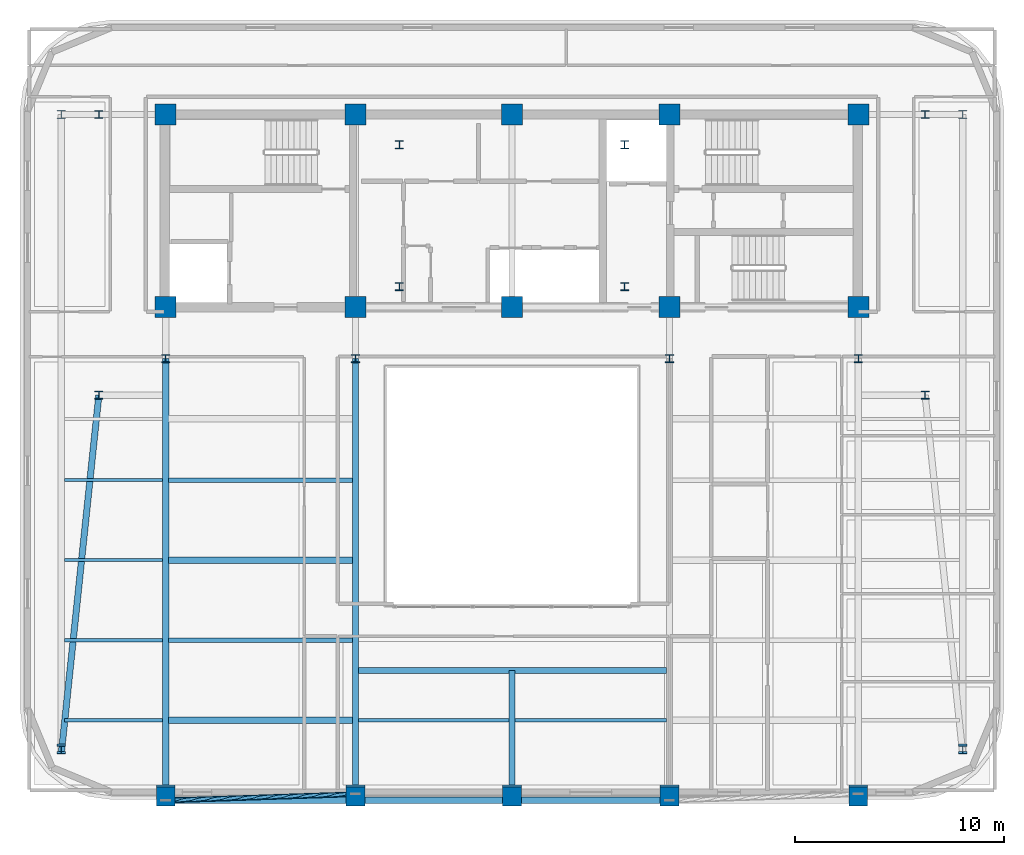
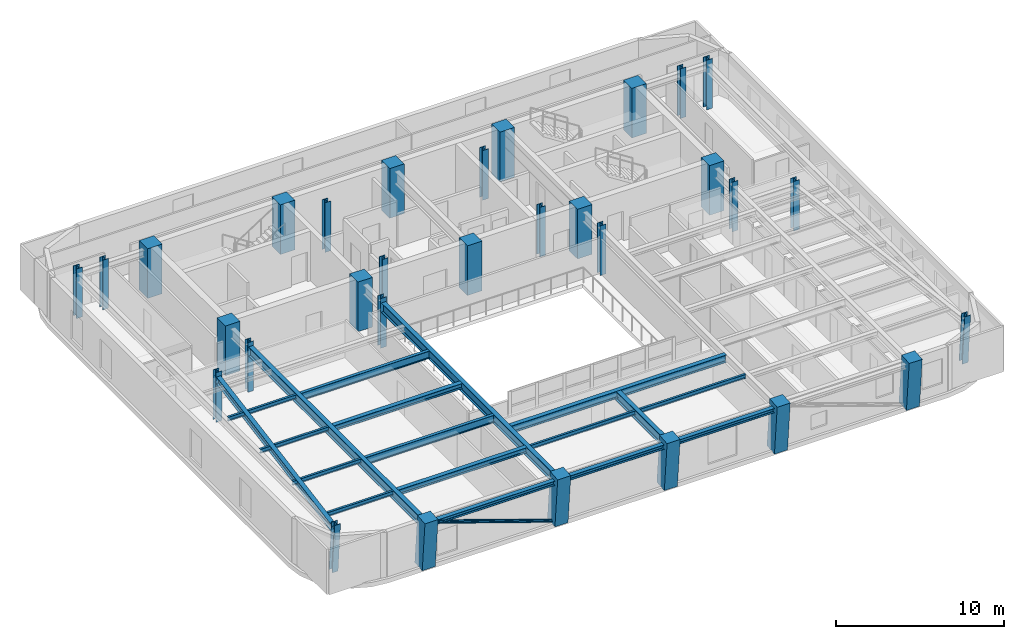
# One storey, part 1 of 13: 31 columns, 18 beams, 1 member.
"""IFC4 building model written with IfcOpenShell, lengths in metres."""

from ifc_helpers import new_model, si_unit, direction, frame, origin, origin_2d, place, context, subcontext, project, spatial, rectangle, hollow_circle, i_section, extrude, material, material_profile, profile_set, type_object, element, save


model = new_model("IFC4")

# Units and contexts
model_context = context("Model", 3, precision=1e-05, world=origin(), true_north=direction((0.0, 1.0)))
body_context = subcontext(model_context, "Body", "Model", "MODEL_VIEW")
ifc_project = project(units=[si_unit("LENGTHUNIT", "METRE"), si_unit("AREAUNIT", "SQUARE_METRE"), si_unit("VOLUMEUNIT", "CUBIC_METRE"), si_unit("PLANEANGLEUNIT", "RADIAN"), si_unit("MASSUNIT", "GRAM", prefix="KILO")], contexts=[model_context])

# Site, building, storey
site_placement = place(None, origin())
site = spatial("IfcSite", under=ifc_project, at=site_placement, CompositionType="ELEMENT")
building_placement = place(site_placement, origin())
building = spatial("IfcBuilding", under=site, at=building_placement, Name="Zarnavel Station Tower", CompositionType="ELEMENT")
storey_placement = place(building_placement, frame((0.0, 0.0, 240.0)))
storey = spatial("IfcBuildingStorey", under=building, at=storey_placement, Name="L65", CompositionType="ELEMENT", Elevation=240.0)

# Columns
ifc_material_1 = material(Name="Steel S355J2", Category="steel")
ifc_material_profile_1 = material_profile(ifc_material_1, i_section(OverallWidth=0.407958984375, OverallDepth=0.39990234375, WebThickness=0.02490234375, FlangeThickness=0.0390625, FilletRadius=0.014892578125, at=origin_2d()), Name="HD400x287")
ifc_profile_set_1 = profile_set([ifc_material_profile_1], Name="Steel S355J2")
column_type_1 = type_object("IfcColumnType", Name="EC_HD287", PredefinedType="COLUMN", material=ifc_profile_set_1)
column_1_placement = place(storey_placement, frame((7.199951171875, 6.6884765625, 0.0), z_axis=(0.0, -0.079901051777, 0.996802799918), x_axis=(1.0, 0.0, 0.0)))
element("IfcColumn", 1, at=column_1_placement, inside=storey, type_object=column_type_1, Name="L65 Raked Wing Column 1", PredefinedType="COLUMN", context=body_context, shape_type="SweptSolid", body=[
    extrude(i_section(OverallWidth=0.407958984375, OverallDepth=0.39990234375, WebThickness=0.02490234375, FlangeThickness=0.0390625, FilletRadius=0.014892578125, at=origin_2d()), origin(), (0.0, 0.0, 1.0), 3.611572265625),
])
column_2_placement = place(storey_placement, frame((7.199951171875, 37.050048828125, 0.0), z_axis=(0.0, 0.0, 1.0), x_axis=(1.0, 0.0, 0.0)))
element("IfcColumn", 2, at=column_2_placement, inside=storey, type_object=column_type_1, Name="L65 Outer Wing North Column 1", PredefinedType="COLUMN", context=body_context, shape_type="SweptSolid", body=[
    extrude(i_section(OverallWidth=0.407958984375, OverallDepth=0.39990234375, WebThickness=0.02490234375, FlangeThickness=0.0390625, FilletRadius=0.014892578125, at=origin_2d()), origin(), (0.0, 0.0, 1.0), 3.60009765625),
])
column_3_placement = place(storey_placement, frame((50.39990234375, 6.6884765625, 0.0), z_axis=(0.0, -0.079901051777, 0.996802799918), x_axis=(1.0, 0.0, 0.0)))
element("IfcColumn", 3, at=column_3_placement, inside=storey, type_object=column_type_1, Name="L65 Raked Wing Column 2", PredefinedType="COLUMN", context=body_context, shape_type="SweptSolid", body=[
    extrude(i_section(OverallWidth=0.407958984375, OverallDepth=0.39990234375, WebThickness=0.02490234375, FlangeThickness=0.0390625, FilletRadius=0.014892578125, at=origin_2d()), origin(), (0.0, 0.0, 1.0), 3.611572265625),
])
column_4_placement = place(storey_placement, frame((50.39990234375, 37.050048828125, 0.0), z_axis=(0.0, 0.0, 1.0), x_axis=(1.0, 0.0, 0.0)))
element("IfcColumn", 4, at=column_4_placement, inside=storey, type_object=column_type_1, Name="L65 Outer Wing North Column 2", PredefinedType="COLUMN", context=body_context, shape_type="SweptSolid", body=[
    extrude(i_section(OverallWidth=0.407958984375, OverallDepth=0.39990234375, WebThickness=0.02490234375, FlangeThickness=0.0390625, FilletRadius=0.014892578125, at=origin_2d()), origin(), (0.0, 0.0, 1.0), 3.60009765625),
])
ifc_material_2 = material(Name="Steel S355J2", Category="steel")
ifc_material_profile_2 = material_profile(ifc_material_2, i_section(OverallWidth=0.39501953125, OverallDepth=0.3798828125, WebThickness=0.018798828125, FlangeThickness=0.0302734375, FilletRadius=0.014892578125, at=origin_2d()), Name="HD400x237")
ifc_profile_set_2 = profile_set([ifc_material_profile_2], Name="Steel S355J2")
column_type_2 = type_object("IfcColumnType", Name="IC_HD237", PredefinedType="COLUMN", material=ifc_profile_set_2)
for number, where, z_axis, x_axis, name in (
    (5, (23.39990234375, 28.800048828125, 0.0), (0.0, 0.0, 1.0), (1.0, 0.0, 0.0), "L65 Mast Spine Column 1"),
    (6, (34.199951171875, 28.800048828125, 0.0), (0.0, 0.0, 1.0), (1.0, 0.0, 0.0), "L65 Mast Spine Column 2"),
    (7, (34.199951171875, 35.60009765625, 0.0), (0.0, 0.0, 1.0), (1.0, 0.0, 0.0), "L65 Mast Spine Column 3"),
    (8, (23.39990234375, 35.60009765625, 0.0), (0.0, 0.0, 1.0), (1.0, 0.0, 0.0), "L65 Mast Spine Column 4"),
    (9, (12.199951171875, 25.35009765625, 0.0), (0.0, 0.0, 1.0), (1.0, 0.0, 0.0), "L65 Inner Spine Column 1"),
    (10, (21.300048828125, 25.35009765625, 0.0), (0.0, 0.0, 1.0), (1.0, 0.0, 0.0), "L65 Inner Spine Column 2"),
    (11, (36.35009765625, 25.35009765625, 0.0), (0.0, 0.0, 1.0), (1.0, 0.0, 0.0), "L65 Inner Spine Column 4"),
    (12, (45.39990234375, 25.35009765625, 0.0), (0.0, 0.0, 1.0), (1.0, 0.0, 0.0), "L65 Inner Spine Column 5"),
    (13, (9.0, 23.60009765625, 0.0), (0.0, 0.0, 1.0), (1.0, 0.0, 0.0), "L65 Inner Wing Spine Column 1-1"),
    (14, (9.0, 37.050048828125, 0.0), (0.0, 0.0, 1.0), (1.0, 0.0, 0.0), "L65 Inner Wing Spine Column 1-2"),
    (15, (48.60009765625, 23.60009765625, 0.0), (0.0, 0.0, 1.0), (1.0, 0.0, 0.0), "L65 Inner Wing Spine Column 2-1"),
    (16, (48.60009765625, 37.050048828125, 0.0), (0.0, 0.0, 1.0), (1.0, 0.0, 0.0), "L65 Inner Wing Spine Column 2-2"),
):
    element("IfcColumn", number, at=place(storey_placement, frame(where, z_axis=z_axis, x_axis=x_axis)), inside=storey, type_object=column_type_2, Name=name, PredefinedType="COLUMN", context=body_context, shape_type="SweptSolid", body=[
        extrude(i_section(OverallWidth=0.39501953125, OverallDepth=0.3798828125, WebThickness=0.018798828125, FlangeThickness=0.0302734375, FilletRadius=0.014892578125, at=origin_2d()), origin(), (0.0, 0.0, 1.0), 3.60009765625),
    ])
ifc_material_3 = material(Name="Concrete C50/60", Category="concrete")
ifc_material_profile_3 = material_profile(ifc_material_3, rectangle(XDim=1.0, YDim=1.0, at=origin_2d()), Name="RC1000x1000")
ifc_profile_set_3 = profile_set([ifc_material_profile_3], Name="Concrete C50/60")
column_type_3 = type_object("IfcColumnType", Name="IC_RC1000", PredefinedType="COLUMN", material=ifc_profile_set_3)
for number, where, z_axis, x_axis, name in (
    (17, (12.199951171875, 27.820068359375, 0.0), (0.0, 0.0, 1.0), (1.0, 0.0, 0.0), "L65 Core Spine Column 1-1"),
    (18, (12.199951171875, 37.050048828125, 0.0), (0.0, 0.0, 1.0), (1.0, 0.0, 0.0), "L65 Core Spine Column 1-2"),
    (19, (21.300048828125, 27.820068359375, 0.0), (0.0, 0.0, 1.0), (1.0, 0.0, 0.0), "L65 Core Spine Column 2-1"),
    (20, (21.300048828125, 37.050048828125, 0.0), (0.0, 0.0, 1.0), (1.0, 0.0, 0.0), "L65 Core Spine Column 2-2"),
    (21, (28.800048828125, 27.820068359375, 0.0), (0.0, 0.0, 1.0), (1.0, 0.0, 0.0), "L65 Core Spine Column 3-1"),
    (22, (28.800048828125, 37.050048828125, 0.0), (0.0, 0.0, 1.0), (1.0, 0.0, 0.0), "L65 Core Spine Column 3-2"),
    (23, (36.35009765625, 27.820068359375, 0.0), (0.0, 0.0, 1.0), (1.0, 0.0, 0.0), "L65 Core Spine Column 4-1"),
    (24, (36.35009765625, 37.050048828125, 0.0), (0.0, 0.0, 1.0), (1.0, 0.0, 0.0), "L65 Core Spine Column 4-2"),
    (25, (45.39990234375, 27.820068359375, 0.0), (0.0, 0.0, 1.0), (1.0, 0.0, 0.0), "L65 Core Spine Column 5-1"),
    (26, (45.39990234375, 37.050048828125, 0.0), (0.0, 0.0, 1.0), (1.0, 0.0, 0.0), "L65 Core Spine Column 5-2"),
):
    element("IfcColumn", number, at=place(storey_placement, frame(where, z_axis=z_axis, x_axis=x_axis)), inside=storey, type_object=column_type_3, Name=name, PredefinedType="COLUMN", context=body_context, shape_type="SweptSolid", body=[
        extrude(rectangle(XDim=1.0, YDim=1.0, at=origin_2d()), origin(), (0.0, 0.0, 1.0), 3.60009765625),
    ])
ifc_material_4 = material(Name="Concrete C50/60", Category="concrete")
ifc_material_profile_4 = material_profile(ifc_material_4, rectangle(XDim=0.89990234375, YDim=0.89990234375, at=origin_2d()), Name="RC900x900")
ifc_profile_set_4 = profile_set([ifc_material_profile_4], Name="Concrete C50/60")
column_type_4 = type_object("IfcColumnType", Name="MC_RC900", PredefinedType="COLUMN", material=ifc_profile_set_4)
for number, where, z_axis, x_axis, name in (
    (27, (12.199951171875, 4.479248046875, 0.0), (0.0, -0.090298253426, 0.995914768154), (1.0, 0.0, 0.0), "L65 Raked South Mega-Column 1"),
    (28, (21.300048828125, 4.479248046875, 0.0), (0.0, -0.090298253426, 0.995914768154), (1.0, 0.0, 0.0), "L65 Raked South Mega-Column 2"),
    (29, (28.800048828125, 4.479248046875, 0.0), (0.0, -0.090298253426, 0.995914768154), (1.0, 0.0, 0.0), "L65 Raked South Mega-Column 3"),
    (30, (36.35009765625, 4.479248046875, 0.0), (0.0, -0.090298253426, 0.995914768154), (1.0, 0.0, 0.0), "L65 Raked South Mega-Column 4"),
    (31, (45.39990234375, 4.479248046875, 0.0), (0.0, -0.090298253426, 0.995914768154), (1.0, 0.0, 0.0), "L65 Raked South Mega-Column 5"),
):
    element("IfcColumn", number, at=place(storey_placement, frame(where, z_axis=z_axis, x_axis=x_axis)), inside=storey, type_object=column_type_4, Name=name, PredefinedType="COLUMN", context=body_context, shape_type="SweptSolid", body=[
        extrude(rectangle(XDim=0.89990234375, YDim=0.89990234375, at=origin_2d()), origin(), (0.0, 0.0, 1.0), 3.61474609375),
    ])

# Member
ifc_material_5 = material(Name="Steel S355J2", Category="steel")
ifc_material_profile_5 = material_profile(ifc_material_5, hollow_circle(Radius=0.122314453125, WallThickness=0.010009765625, at=origin_2d()), Name="CHS244.5x10")
ifc_profile_set_5 = profile_set([ifc_material_profile_5], Name="Steel S355J2")
member_type = type_object("IfcMemberType", Name="DB_EXT_CHS245", PredefinedType="BRACE", material=ifc_profile_set_5)
member_placement = place(storey_placement, frame((21.300048828125, 4.479248046875, 0.0), z_axis=(-0.940311551181, -0.030726497541, 0.3389248723), x_axis=(0.032659501022, -0.999466536205, 0.0)))
element("IfcMember", 32, at=member_placement, inside=storey, type_object=member_type, Name="L65 Persian Exterior Diagonal Frame Brace 1", PredefinedType="BRACE", context=body_context, shape_type="SweptSolid", body=[
    extrude(hollow_circle(Radius=0.122314453125, WallThickness=0.010009765625, at=origin_2d()), origin(), (0.0, 0.0, 1.0), 9.677734375),
])

# Beams
ifc_material_6 = material(Name="Steel S355J2", Category="steel")
ifc_material_profile_6 = material_profile(ifc_material_6, i_section(OverallWidth=0.300048828125, OverallDepth=0.320068359375, WebThickness=0.011474609375, FlangeThickness=0.0205078125, FilletRadius=0.027099609375, at=origin_2d()), Name="HEB320")
ifc_profile_set_6 = profile_set([ifc_material_profile_6], Name="Steel S355J2")
beam_type_1 = type_object("IfcBeamType", Name="EB_HEB320", PredefinedType="SPANDREL", material=ifc_profile_set_6)
beam_1_placement = place(storey_placement, frame((12.199951171875, 4.181884765625, 3.1201171875), z_axis=(1.0, 0.0, 0.0), x_axis=(0.0, 1.0, 0.0)))
element("IfcBeam", 33, at=beam_1_placement, inside=storey, type_object=beam_type_1, Name="L65 South Raked Spandrel 1", PredefinedType="SPANDREL", context=body_context, shape_type="SweptSolid", body=[
    extrude(i_section(OverallWidth=0.300048828125, OverallDepth=0.320068359375, WebThickness=0.011474609375, FlangeThickness=0.0205078125, FilletRadius=0.027099609375, at=origin_2d()), origin(), (0.0, 0.0, 1.0), 9.10009765625),
])
beam_2_placement = place(storey_placement, frame((21.300048828125, 4.181884765625, 3.1201171875), z_axis=(1.0, 0.0, 0.0), x_axis=(0.0, 1.0, 0.0)))
element("IfcBeam", 34, at=beam_2_placement, inside=storey, type_object=beam_type_1, Name="L65 South Raked Spandrel 2", PredefinedType="SPANDREL", context=body_context, shape_type="SweptSolid", body=[
    extrude(i_section(OverallWidth=0.300048828125, OverallDepth=0.320068359375, WebThickness=0.011474609375, FlangeThickness=0.0205078125, FilletRadius=0.027099609375, at=origin_2d()), origin(), (0.0, 0.0, 1.0), 7.5),
])
beam_3_placement = place(storey_placement, frame((28.800048828125, 4.181884765625, 3.1201171875), z_axis=(1.0, 0.0, 0.0), x_axis=(0.0, 1.0, 0.0)))
element("IfcBeam", 35, at=beam_3_placement, inside=storey, type_object=beam_type_1, Name="L65 South Raked Spandrel 3", PredefinedType="SPANDREL", context=body_context, shape_type="SweptSolid", body=[
    extrude(i_section(OverallWidth=0.300048828125, OverallDepth=0.320068359375, WebThickness=0.011474609375, FlangeThickness=0.0205078125, FilletRadius=0.027099609375, at=origin_2d()), origin(), (0.0, 0.0, 1.0), 7.550048828125),
])
ifc_material_7 = material(Name="Steel S355J2", Category="steel")
ifc_material_profile_7 = material_profile(ifc_material_7, i_section(OverallWidth=0.300048828125, OverallDepth=0.389892578125, WebThickness=0.010986328125, FlangeThickness=0.01904296875, FilletRadius=0.027099609375, at=origin_2d()), Name="HEA400")
ifc_profile_set_7 = profile_set([ifc_material_profile_7], Name="Steel S355J2")
beam_type_2 = type_object("IfcBeamType", Name="FB_HEA400", PredefinedType="BEAM", material=ifc_profile_set_7)
for number, where, z_axis, x_axis, name in (
    (36, (12.344970703125, 8.018310546875, 3.0849609375), (1.0, 0.0, 0.0), (0.0, 1.0, 0.0), "L65 West Bay Beam 1"),
    (37, (12.344970703125, 15.69091796875, 3.0849609375), (1.0, 0.0, 0.0), (0.0, 1.0, 0.0), "L65 West Bay Beam 3"),
):
    element("IfcBeam", number, at=place(storey_placement, frame(where, z_axis=z_axis, x_axis=x_axis)), inside=storey, type_object=beam_type_2, Name=name, PredefinedType="BEAM", context=body_context, shape_type="SweptSolid", body=[
        extrude(i_section(OverallWidth=0.300048828125, OverallDepth=0.389892578125, WebThickness=0.010986328125, FlangeThickness=0.01904296875, FilletRadius=0.027099609375, at=origin_2d()), origin(), (0.0, 0.0, 1.0), 8.81005859375),
    ])
ifc_material_8 = material(Name="Steel S355J2", Category="steel")
ifc_material_profile_8 = material_profile(ifc_material_8, i_section(OverallWidth=0.300048828125, OverallDepth=0.5400390625, WebThickness=0.012451171875, FlangeThickness=0.02392578125, FilletRadius=0.027099609375, at=origin_2d()), Name="HEA550")
ifc_profile_set_8 = profile_set([ifc_material_profile_8], Name="Steel S355J2")
beam_type_3 = type_object("IfcBeamType", Name="FB_HEA550", PredefinedType="BEAM", material=ifc_profile_set_8)
beam_4_placement = place(storey_placement, frame((21.445068359375, 10.39990234375, 3.010009765625), z_axis=(1.0, 0.0, 0.0), x_axis=(0.0, 1.0, 0.0)))
element("IfcBeam", 38, at=beam_4_placement, inside=storey, type_object=beam_type_3, Name="L65 Atrium South Edge Girder", PredefinedType="BEAM", context=body_context, shape_type="SweptSolid", body=[
    extrude(i_section(OverallWidth=0.300048828125, OverallDepth=0.5400390625, WebThickness=0.012451171875, FlangeThickness=0.02392578125, FilletRadius=0.027099609375, at=origin_2d()), origin(), (0.0, 0.0, 1.0), 14.760009765625),
])
ifc_material_9 = material(Name="Steel S355J2", Category="steel")
ifc_material_profile_9 = material_profile(ifc_material_9, i_section(OverallWidth=0.2099609375, OverallDepth=0.550048828125, WebThickness=0.010986328125, FlangeThickness=0.01708984375, FilletRadius=0.02392578125, at=origin_2d()), Name="IPE550")
ifc_profile_set_9 = profile_set([ifc_material_profile_9], Name="Steel S355J2")
beam_type_4 = type_object("IfcBeamType", Name="FB_IPE550", PredefinedType="BEAM", material=ifc_profile_set_9)
for number, where, z_axis, x_axis, name in (
    (39, (12.344970703125, 11.8544921875, 3.0048828125), (1.0, 0.0, 0.0), (0.0, 1.0, 0.0), "L65 West Bay Beam 2"),
    (40, (12.344970703125, 19.52734375, 3.0048828125), (1.0, 0.0, 0.0), (0.0, 1.0, 0.0), "L65 West Bay Beam 4"),
):
    element("IfcBeam", number, at=place(storey_placement, frame(where, z_axis=z_axis, x_axis=x_axis)), inside=storey, type_object=beam_type_4, Name=name, PredefinedType="BEAM", context=body_context, shape_type="SweptSolid", body=[
        extrude(i_section(OverallWidth=0.2099609375, OverallDepth=0.550048828125, WebThickness=0.010986328125, FlangeThickness=0.01708984375, FilletRadius=0.02392578125, at=origin_2d()), origin(), (0.0, 0.0, 1.0), 8.81005859375),
    ])
ifc_material_10 = material(Name="Steel S355J2", Category="steel")
ifc_material_profile_10 = material_profile(ifc_material_10, i_section(OverallWidth=0.300048828125, OverallDepth=0.5, WebThickness=0.014404296875, FlangeThickness=0.028076171875, FilletRadius=0.027099609375, at=origin_2d()), Name="HEB500")
ifc_profile_set_10 = profile_set([ifc_material_profile_10], Name="Steel S355J2")
beam_type_5 = type_object("IfcBeamType", Name="FG_HEB500", PredefinedType="USERDEFINED", material=ifc_profile_set_10)
beam_5_placement = place(storey_placement, frame((7.199951171875, 6.425537109375, 3.030029296875), z_axis=(0.10423805796, 0.994552375329, 0.0), x_axis=(-0.994552375329, 0.10423805796, 0.0)))
element("IfcBeam", 41, at=beam_5_placement, inside=storey, type_object=beam_type_5, Name="L65 West Wing South Tie 1", ObjectType="GIRDER", PredefinedType="USERDEFINED", context=body_context, shape_type="SweptSolid", body=[
    extrude(i_section(OverallWidth=0.300048828125, OverallDepth=0.5, WebThickness=0.014404296875, FlangeThickness=0.028076171875, FilletRadius=0.027099609375, at=origin_2d()), origin(), (0.0, 0.0, 1.0), 17.2685546875),
])
ifc_material_11 = material(Name="Steel S355J2", Category="steel")
ifc_material_profile_11 = material_profile(ifc_material_11, i_section(OverallWidth=0.300048828125, OverallDepth=0.699951171875, WebThickness=0.01708984375, FlangeThickness=0.031982421875, FilletRadius=0.027099609375, at=origin_2d()), Name="HEB700")
ifc_profile_set_11 = profile_set([ifc_material_profile_11], Name="Steel S355J2")
beam_type_6 = type_object("IfcBeamType", Name="FG_HEB700", PredefinedType="USERDEFINED", material=ifc_profile_set_11)
for number, where, z_axis, x_axis, name in (
    (42, (12.199951171875, 4.181884765625, 2.929931640625), (0.0, 1.0, 0.0), (-1.0, 0.0, 0.0), "L65 South-Zone NS Girder 1"),
    (43, (21.300048828125, 4.181884765625, 2.929931640625), (0.0, 1.0, 0.0), (-1.0, 0.0, 0.0), "L65 South-Zone NS Girder 2"),
):
    element("IfcBeam", number, at=place(storey_placement, frame(where, z_axis=z_axis, x_axis=x_axis)), inside=storey, type_object=beam_type_6, Name=name, ObjectType="GIRDER", PredefinedType="USERDEFINED", context=body_context, shape_type="SweptSolid", body=[
        extrude(i_section(OverallWidth=0.300048828125, OverallDepth=0.699951171875, WebThickness=0.01708984375, FlangeThickness=0.031982421875, FilletRadius=0.027099609375, at=origin_2d()), origin(), (0.0, 0.0, 1.0), 21.168212890625),
    ])
beam_6_placement = place(storey_placement, frame((28.800048828125, 4.181884765625, 2.929931640625), z_axis=(0.0, 1.0, 0.0), x_axis=(-1.0, 0.0, 0.0)))
element("IfcBeam", 44, at=beam_6_placement, inside=storey, type_object=beam_type_6, Name="L65 Central Atrium-South Girder", ObjectType="GIRDER", PredefinedType="USERDEFINED", context=body_context, shape_type="SweptSolid", body=[
    extrude(i_section(OverallWidth=0.300048828125, OverallDepth=0.699951171875, WebThickness=0.01708984375, FlangeThickness=0.031982421875, FilletRadius=0.027099609375, at=origin_2d()), origin(), (0.0, 0.0, 1.0), 6.218017578125),
])
ifc_material_12 = material(Name="Steel S355J2", Category="steel")
ifc_material_profile_12 = material_profile(ifc_material_12, i_section(OverallWidth=0.14990234375, OverallDepth=0.300048828125, WebThickness=0.007080078125, FlangeThickness=0.0107421875, FilletRadius=0.014892578125, at=origin_2d()), Name="IPE300")
ifc_profile_set_12 = profile_set([ifc_material_profile_12], Name="Steel S355J2")
beam_type_7 = type_object("IfcBeamType", Name="FJ_IPE300", PredefinedType="JOIST", material=ifc_profile_set_12)
beam_7_placement = place(storey_placement, frame((21.445068359375, 8.018310546875, 3.1298828125), z_axis=(1.0, 0.0, 0.0), x_axis=(0.0, 1.0, 0.0)))
element("IfcBeam", 45, at=beam_7_placement, inside=storey, type_object=beam_type_7, Name="L65 Mid-West Joist 1", PredefinedType="JOIST", context=body_context, shape_type="SweptSolid", body=[
    extrude(i_section(OverallWidth=0.14990234375, OverallDepth=0.300048828125, WebThickness=0.007080078125, FlangeThickness=0.0107421875, FilletRadius=0.014892578125, at=origin_2d()), origin(), (0.0, 0.0, 1.0), 7.2099609375),
])
beam_8_placement = place(storey_placement, frame((28.945068359375, 8.018310546875, 3.1298828125), z_axis=(1.0, 0.0, 0.0), x_axis=(0.0, 1.0, 0.0)))
element("IfcBeam", 46, at=beam_8_placement, inside=storey, type_object=beam_type_7, Name="L65 Mid-East Joist 1", PredefinedType="JOIST", context=body_context, shape_type="SweptSolid", body=[
    extrude(i_section(OverallWidth=0.14990234375, OverallDepth=0.300048828125, WebThickness=0.007080078125, FlangeThickness=0.0107421875, FilletRadius=0.014892578125, at=origin_2d()), origin(), (0.0, 0.0, 1.0), 7.260009765625),
])
for number, where, z_axis, x_axis, name in (
    (47, (7.344970703125, 8.018310546875, 3.1298828125), (1.0, 0.0, 0.0), (0.0, 1.0, 0.0), "L65 West Wing Joist 1"),
    (48, (7.344970703125, 11.8544921875, 3.1298828125), (1.0, 0.0, 0.0), (0.0, 1.0, 0.0), "L65 West Wing Joist 2"),
    (49, (7.344970703125, 15.69091796875, 3.1298828125), (1.0, 0.0, 0.0), (0.0, 1.0, 0.0), "L65 West Wing Joist 3"),
    (50, (7.344970703125, 19.52734375, 3.1298828125), (1.0, 0.0, 0.0), (0.0, 1.0, 0.0), "L65 West Wing Joist 4"),
):
    element("IfcBeam", number, at=place(storey_placement, frame(where, z_axis=z_axis, x_axis=x_axis)), inside=storey, type_object=beam_type_7, Name=name, PredefinedType="JOIST", context=body_context, shape_type="SweptSolid", body=[
        extrude(i_section(OverallWidth=0.14990234375, OverallDepth=0.300048828125, WebThickness=0.007080078125, FlangeThickness=0.0107421875, FilletRadius=0.014892578125, at=origin_2d()), origin(), (0.0, 0.0, 1.0), 4.7099609375),
    ])

save(model, "model.ifc")
